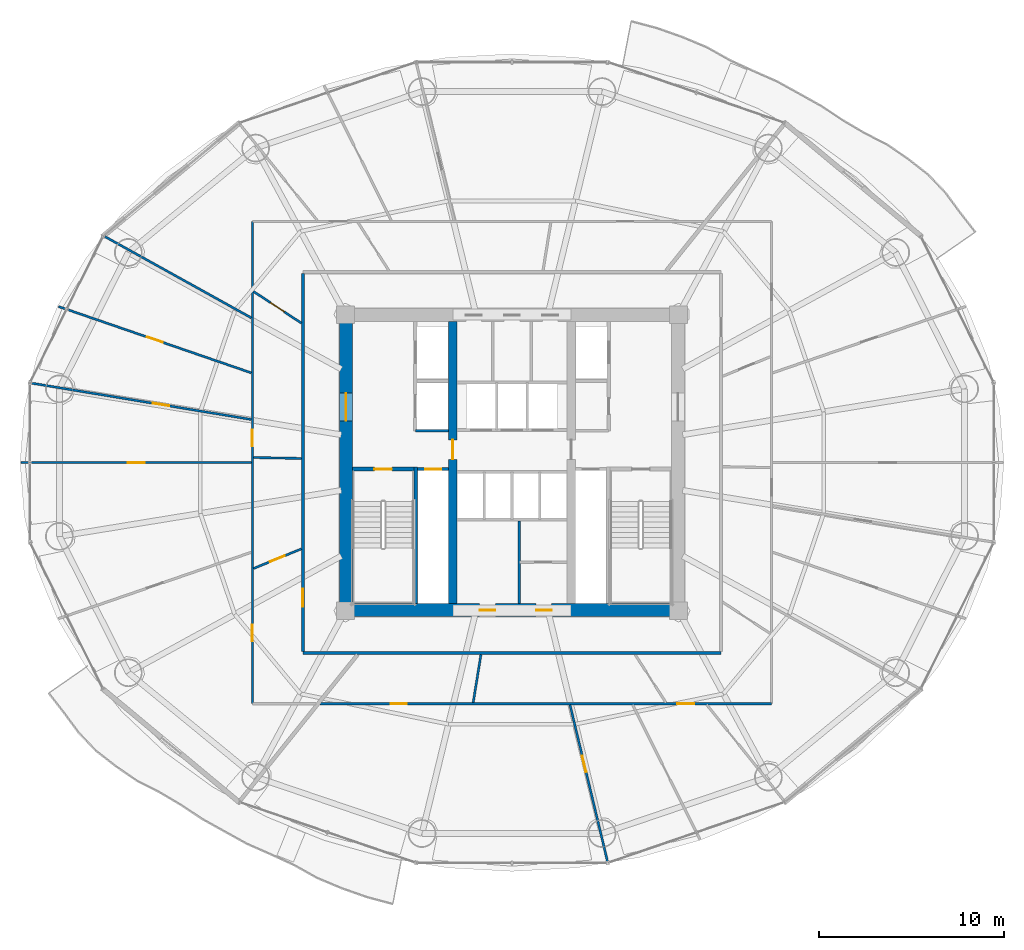
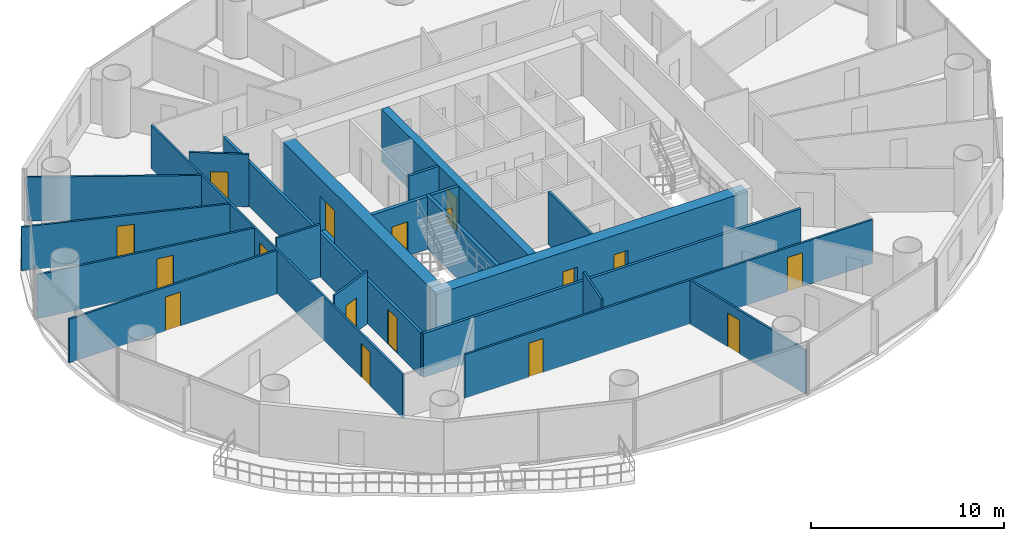
# One storey, part 22 of 29: 21 walls, 17 doors, 17 openings.
"""IFC4 building model written with IfcOpenShell, lengths in metres."""

from ifc_helpers import new_model, si_unit, direction, frame, frame_2d, origin, place, context, subcontext, project, spatial, rectangle, extrude, source, transform, mapped, material, layer, layer_set, type_object, element, fill, save


model = new_model("IFC4")

# Units and contexts
model_context = context("Model", 3, precision=1e-05, world=origin(), true_north=direction((-0.2419218956, 0.970295726276)))
body_context = subcontext(model_context, "Body", "Model", "MODEL_VIEW")
ifc_project = project(units=[si_unit("LENGTHUNIT", "METRE"), si_unit("AREAUNIT", "SQUARE_METRE"), si_unit("VOLUMEUNIT", "CUBIC_METRE"), si_unit("PLANEANGLEUNIT", "RADIAN"), si_unit("MASSUNIT", "GRAM", prefix="KILO")], contexts=[model_context])

# Site, building, storey
site_placement = place(None, origin())
site = spatial("IfcSite", under=ifc_project, at=site_placement, CompositionType="ELEMENT")
building_placement = place(site_placement, origin())
building = spatial("IfcBuilding", under=site, at=building_placement, Name="Cobrevalo Terracotta Tower", CompositionType="ELEMENT")
storey_placement = place(building_placement, frame((0.0, 0.0, 119.39990234375)))
storey = spatial("IfcBuildingStorey", under=building, at=storey_placement, Name="L31", CompositionType="ELEMENT", Elevation=119.39990234375)

# Wall, openings, doors
ifc_material_1 = material(Name="Concrete C60", Category="concrete")
ifc_layer_1 = layer(ifc_material_1, 0.699951171875)
ifc_layer_set_1 = layer_set([ifc_layer_1], Name="Concrete C60")
wall_type_1 = type_object("IfcWallType", Name="Core shear wall 700 mm Concrete C60", PredefinedType="SHEAR", material=ifc_layer_set_1)
wall_1_placement = place(storey_placement, frame((28.675048828125, 18.824951171875, 0.0), z_axis=(0.0, 0.0, 1.0), x_axis=(1.0, 0.0, 0.0)))
wall_1 = element("IfcWall", 1, at=wall_1_placement, inside=storey, type_object=wall_type_1, Name="L31 south core shear wall", PredefinedType="SHEAR", context=body_context, shape_type="SweptSolid", body=[
    extrude(rectangle(XDim=18.64990234375, YDim=0.699951171875, at=frame_2d((9.324951171875, 0.0))), origin(), (0.0, 0.0, 1.0), 3.3251953125),
])
opening_1_placement = place(wall_1_placement, frame((7.577392578125, 0.0, 0.0)))
opening_1 = element("IfcOpeningElement", 2, at=opening_1_placement, cuts=wall_1, Name="Opening ID-22", PredefinedType="OPENING", context=body_context, shape_type="SweptSolid", body=[
    extrude(rectangle(XDim=0.85009765625, YDim=2.10009765625, at=frame_2d((0.425048828125, 1.050048828125))), frame((0.0, 0.35986328125, 0.0), z_axis=(0.0, -1.0, 0.0), x_axis=(1.0, 0.0, 0.0)), (0.0, 0.0, 1.0), 0.719970703125),
])
opening_2_placement = place(wall_1_placement, frame((10.62255859375, 0.0, 0.0)))
opening_2 = element("IfcOpeningElement", 3, at=opening_2_placement, cuts=wall_1, Name="Opening ID-22", PredefinedType="OPENING", context=body_context, shape_type="SweptSolid", body=[
    extrude(rectangle(XDim=0.85009765625, YDim=2.10009765625, at=frame_2d((0.425048828125, 1.050048828125))), frame((0.0, 0.35986328125, 0.0), z_axis=(0.0, -1.0, 0.0), x_axis=(1.0, 0.0, 0.0)), (0.0, 0.0, 1.0), 0.719970703125),
])
ifc_material_2 = material(Name="Powder-coated steel", Category="steel")
door_type_1 = type_object("IfcDoorType", Name="Riser shaft & meter closet fire access door 850x2100 EI 60", OperationType="NOTDEFINED", PredefinedType="DOOR", material=ifc_material_2)
shared_shape_1 = source(origin(), body_context, "Body", "SweptSolid", [
    extrude(rectangle(XDim=0.85009765625, YDim=2.10009765625, at=frame_2d((0.425048828125, 1.050048828125))), frame((0.0, 0.02490234375, 0.0), z_axis=(0.0, -1.0, 0.0), x_axis=(1.0, 0.0, 0.0)), (0.0, 0.0, 1.0), 0.050048828125),
])
door_1_placement = place(opening_1_placement, origin())
door_1 = element("IfcDoor", 4, at=door_1_placement, inside=storey, type_object=door_type_1, Name="L31 core south plant door Floor AHU Mechanical Plant", OperationType="SINGLE_SWING_RIGHT", OverallHeight=2.10009765625, OverallWidth=0.85009765625, PredefinedType="DOOR", context=body_context, shape_type="MappedRepresentation", body=[
    mapped(shared_shape_1, transform((0.0, 0.0, 0.0), scale=1.0)),
])
fill(opening_1, door_1)
door_2_placement = place(opening_2_placement, origin())
door_2 = element("IfcDoor", 5, at=door_2_placement, inside=storey, type_object=door_type_1, Name="L31 core south plant door Sprinkler Valve Plant", OperationType="SINGLE_SWING_RIGHT", OverallHeight=2.10009765625, OverallWidth=0.85009765625, PredefinedType="DOOR", context=body_context, shape_type="MappedRepresentation", body=[
    mapped(shared_shape_1, transform((0.0, 0.0, 0.0), scale=1.0)),
])
fill(opening_2, door_2)

# Wall, opening, door
wall_2_placement = place(storey_placement, frame((29.02490234375, 19.175048828125, 0.0), z_axis=(0.0, 0.0, 1.0), x_axis=(0.0, 1.0, 0.0)))
wall_2 = element("IfcWall", 6, at=wall_2_placement, inside=storey, type_object=wall_type_1, Name="L31 west core shear wall", PredefinedType="SHEAR", context=body_context, shape_type="SweptSolid", body=[
    extrude(rectangle(XDim=15.25, YDim=0.699951171875, at=frame_2d((7.625, 0.0))), origin(), (0.0, 0.0, 1.0), 3.3251953125),
])
opening_3_placement = place(wall_2_placement, frame((9.875, 0.0, 0.0)))
opening_3 = element("IfcOpeningElement", 7, at=opening_3_placement, cuts=wall_2, Name="Opening ID-14", PredefinedType="OPENING", context=body_context, shape_type="SweptSolid", body=[
    extrude(rectangle(XDim=1.5, YDim=2.199951171875, at=frame_2d((0.75, 1.10009765625))), frame((0.0, 0.35986328125, 0.0), z_axis=(0.0, -1.0, 0.0), x_axis=(1.0, 0.0, 0.0)), (0.0, 0.0, 1.0), 0.719970703125),
])
ifc_material_3 = material(Name="Galvanized fire-rated steel", Category="steel")
door_type_2 = type_object("IfcDoorType", Name="Core cross-lobby double fire door 1500x2200 EI 90", OperationType="NOTDEFINED", PredefinedType="DOOR", material=ifc_material_3)
shared_shape_2 = source(origin(), body_context, "Body", "SweptSolid", [
    extrude(rectangle(XDim=1.5, YDim=2.199951171875, at=frame_2d((0.75, 1.10009765625))), frame((0.0, 0.02490234375, 0.0), z_axis=(0.0, -1.0, 0.0), x_axis=(1.0, 0.0, 0.0)), (0.0, 0.0, 1.0), 0.050048828125),
])
door_3_placement = place(opening_3_placement, origin())
door_3 = element("IfcDoor", 8, at=door_3_placement, inside=storey, type_object=door_type_2, Name="L31 west firefighting lobby entrance door", OperationType="DOUBLE_DOOR_SINGLE_SWING", OverallHeight=2.199951171875, OverallWidth=1.5, PredefinedType="DOOR", context=body_context, shape_type="MappedRepresentation", body=[
    mapped(shared_shape_2, transform((0.0, 0.0, 0.0), scale=1.0)),
])
fill(opening_3, door_3)

# Walls
ifc_material_4 = material(Name="Gypsum board on steel stud", Category="steel")
ifc_layer_2 = layer(ifc_material_4, 0.159912109375)
ifc_layer_set_2 = layer_set([ifc_layer_2], Name="Gypsum board on steel stud")
wall_type_2 = type_object("IfcWallType", Name="Fire-rated corridor acoustic partition wall 160 mm", PredefinedType="PARTITIONING", material=ifc_layer_set_2)
wall_3_placement = place(storey_placement, frame((32.77001953125, 28.52001953125, 0.0), z_axis=(0.0, 0.0, 1.0), x_axis=(1.0, 0.0, 0.0)))
element("IfcWall", 9, at=wall_3_placement, inside=storey, type_object=wall_type_2, Name="L31 interior partition IW-L31-FF1-S", PredefinedType="PARTITIONING", context=body_context, shape_type="SweptSolid", body=[
    extrude(rectangle(XDim=1.804931640625, YDim=0.159912109375, at=frame_2d((0.90234375, 0.0))), origin(), (0.0, 0.0, 1.0), 3.3251953125),
])
wall_4_placement = place(storey_placement, frame((26.695068359375, 16.4951171875, 0.0), z_axis=(0.0, 0.0, 1.0), x_axis=(1.0, 0.0, 0.0)))
element("IfcWall", 10, at=wall_4_placement, inside=storey, type_object=wall_type_2, Name="L31 interior partition IW-L31-COR-S", PredefinedType="PARTITIONING", context=body_context, shape_type="SweptSolid", body=[
    extrude(rectangle(XDim=22.60986328125, YDim=0.159912109375, at=frame_2d((11.304931640625, 0.0))), origin(), (0.0, 0.0, 1.0), 2.76708984375),
])

# Wall, opening, door
wall_5_placement = place(storey_placement, frame((26.695068359375, 16.574951171875, 0.0), z_axis=(0.0, 0.0, 1.0), x_axis=(0.0, 1.0, 0.0)))
wall_5 = element("IfcWall", 11, at=wall_5_placement, inside=storey, type_object=wall_type_2, Name="L31 interior partition IW-L31-COR-W", PredefinedType="PARTITIONING", context=body_context, shape_type="SweptSolid", body=[
    extrude(rectangle(XDim=20.449951171875, YDim=0.159912109375, at=frame_2d((10.22509765625, 0.0))), origin(), (0.0, 0.0, 1.0), 2.76708984375),
])
opening_4_placement = place(wall_5_placement, frame((2.42431640625, 0.0, 0.0)))
opening_4 = element("IfcOpeningElement", 12, at=opening_4_placement, cuts=wall_5, Name="Opening ID-05", PredefinedType="OPENING", context=body_context, shape_type="SweptSolid", body=[
    extrude(rectangle(XDim=0.97998046875, YDim=2.199951171875, at=frame_2d((0.489990234375, 1.10009765625))), frame((0.0, 0.08984375, 0.0), z_axis=(0.0, -1.0, 0.0), x_axis=(1.0, 0.0, 0.0)), (0.0, 0.0, 1.0), 0.179931640625),
])
ifc_material_5 = material(Name="Solid hardwood timber", Category="wood")
door_type_3 = type_object("IfcDoorType", Name="Residence entrance fire-rated acoustic timber door 980x2200 EI 60", OperationType="NOTDEFINED", PredefinedType="DOOR", material=ifc_material_5)
shared_shape_3 = source(origin(), body_context, "Body", "SweptSolid", [
    extrude(rectangle(XDim=0.97998046875, YDim=2.199951171875, at=frame_2d((0.489990234375, 1.10009765625))), frame((0.0, 0.02490234375, 0.0), z_axis=(0.0, -1.0, 0.0), x_axis=(1.0, 0.0, 0.0)), (0.0, 0.0, 1.0), 0.050048828125),
])
door_4_placement = place(opening_4_placement, origin())
door_4 = element("IfcDoor", 13, at=door_4_placement, inside=storey, type_object=door_type_3, Name="Flat L31A fire-rated apartment entrance door", OperationType="SINGLE_SWING_LEFT", OverallHeight=2.199951171875, OverallWidth=0.97998046875, PredefinedType="DOOR", context=body_context, shape_type="MappedRepresentation", body=[
    mapped(shared_shape_3, transform((0.0, 0.0, 0.0), scale=1.0)),
])
fill(opening_4, door_4)

ifc_layer_3 = layer(ifc_material_4, 0.179931640625)
ifc_layer_set_3 = layer_set([ifc_layer_3], Name="Gypsum board on steel stud")
wall_type_3 = type_object("IfcWallType", Name="Fire-rated shaft & lobby acoustic partition wall 180 mm", PredefinedType="PARTITIONING", material=ifc_layer_set_3)
wall_6_placement = place(storey_placement, frame((32.89990234375, 26.449951171875, 0.0), z_axis=(0.0, 0.0, 1.0), x_axis=(1.0, 0.0, 0.0)))
wall_6 = element("IfcWall", 14, at=wall_6_placement, inside=storey, type_object=wall_type_3, Name="L31 interior partition IW-L31-RSW-N", PredefinedType="PARTITIONING", context=body_context, shape_type="SweptSolid", body=[
    extrude(rectangle(XDim=1.675048828125, YDim=0.179931640625, at=frame_2d((0.83740234375, 0.0))), origin(), (0.0, 0.0, 1.0), 3.3251953125),
])
opening_5_placement = place(wall_6_placement, frame((0.41259765625, 0.0, 0.0)))
opening_5 = element("IfcOpeningElement", 15, at=opening_5_placement, cuts=wall_6, Name="Opening ID-22", PredefinedType="OPENING", context=body_context, shape_type="SweptSolid", body=[
    extrude(rectangle(XDim=0.85009765625, YDim=2.10009765625, at=frame_2d((0.425048828125, 1.050048828125))), frame((0.0, 0.10009765625, 0.0), z_axis=(0.0, -1.0, 0.0), x_axis=(1.0, 0.0, 0.0)), (0.0, 0.0, 1.0), 0.199951171875),
])
door_5_placement = place(opening_5_placement, origin())
door_5 = element("IfcDoor", 16, at=door_5_placement, inside=storey, type_object=door_type_1, Name="L31 riser access door RSW", OperationType="SINGLE_SWING_LEFT", OverallHeight=2.10009765625, OverallWidth=0.85009765625, PredefinedType="DOOR", context=body_context, shape_type="MappedRepresentation", body=[
    mapped(shared_shape_1, transform((0.0, 0.0, 0.0), scale=1.0)),
])
fill(opening_5, door_5)

ifc_material_6 = material(Name="Concrete C55", Category="concrete")
ifc_layer_4 = layer(ifc_material_6, 0.449951171875)
ifc_layer_set_4 = layer_set([ifc_layer_4], Name="Concrete C55")
wall_type_4 = type_object("IfcWallType", Name="Internal core shear web wall 450 mm Concrete C55", PredefinedType="SHEAR", material=ifc_layer_set_4)
wall_7_placement = place(storey_placement, frame((34.800048828125, 19.175048828125, 0.0), z_axis=(0.0, 0.0, 1.0), x_axis=(0.0, 1.0, 0.0)))
wall_7 = element("IfcWall", 17, at=wall_7_placement, inside=storey, type_object=wall_type_4, Name="L31 internal core shear wall WEB-W", PredefinedType="SHEAR", context=body_context, shape_type="SweptSolid", body=[
    extrude(rectangle(XDim=15.25, YDim=0.449951171875, at=frame_2d((7.625, 0.0))), origin(), (0.0, 0.0, 1.0), 3.3251953125),
])
opening_6_placement = place(wall_7_placement, frame((7.800048828125, 0.0, 0.0)))
opening_6 = element("IfcOpeningElement", 18, at=opening_6_placement, cuts=wall_7, Name="Opening ID-11", PredefinedType="OPENING", context=body_context, shape_type="SweptSolid", body=[
    extrude(rectangle(XDim=1.050048828125, YDim=2.14990234375, at=frame_2d((0.52490234375, 1.074951171875))), frame((0.0, 0.23486328125, 0.0), z_axis=(0.0, -1.0, 0.0), x_axis=(1.0, 0.0, 0.0)), (0.0, 0.0, 1.0), 0.469970703125),
])
door_type_4 = type_object("IfcDoorType", Name="Core concourse cross fire door 1050x2150 EI 90", OperationType="NOTDEFINED", PredefinedType="DOOR", material=ifc_material_3)
shared_shape_4 = source(origin(), body_context, "Body", "SweptSolid", [
    extrude(rectangle(XDim=1.050048828125, YDim=2.14990234375, at=frame_2d((0.52490234375, 1.074951171875))), frame((0.0, 0.02490234375, 0.0), z_axis=(0.0, -1.0, 0.0), x_axis=(1.0, 0.0, 0.0)), (0.0, 0.0, 1.0), 0.050048828125),
])
door_6_placement = place(opening_6_placement, origin())
door_6 = element("IfcDoor", 19, at=door_6_placement, inside=storey, type_object=door_type_4, Name="L31 west core concourse cross door", OperationType="SINGLE_SWING_LEFT", OverallHeight=2.14990234375, OverallWidth=1.050048828125, PredefinedType="DOOR", context=body_context, shape_type="MappedRepresentation", body=[
    mapped(shared_shape_4, transform((0.0, 0.0, 0.0), scale=1.0)),
])
fill(opening_6, door_6)

# Wall
ifc_material_7 = material(Name="Autoclaved aerated concrete block", Category="concrete")
ifc_layer_5 = layer(ifc_material_7, 0.139892578125)
ifc_layer_set_5 = layer_set([ifc_layer_5], Name="Autoclaved aerated concrete block")
wall_type_5 = type_object("IfcWallType", Name="Moisture-resistant wet-room & core service partition 140 mm", PredefinedType="PARTITIONING", material=ifc_layer_set_5)
wall_8_placement = place(storey_placement, frame((38.39990234375, 19.175048828125, 0.0), z_axis=(0.0, 0.0, 1.0), x_axis=(0.0, 1.0, 0.0)))
element("IfcWall", 20, at=wall_8_placement, inside=storey, type_object=wall_type_5, Name="L31 interior partition IW-L31-KVS-L1", PredefinedType="PARTITIONING", context=body_context, shape_type="SweptSolid", body=[
    extrude(rectangle(XDim=4.46484375, YDim=0.139892578125, at=frame_2d((2.232421875, 0.0))), origin(), (0.0, 0.0, 1.0), 3.3251953125),
])

# Wall, openings, doors
ifc_layer_6 = layer(ifc_material_4, 0.1201171875)
ifc_layer_set_6 = layer_set([ifc_layer_6], Name="Gypsum board on steel stud")
wall_type_6 = type_object("IfcWallType", Name="Residential internal acoustic stud partition 120 mm", PredefinedType="PARTITIONING", material=ifc_layer_set_6)
wall_9_placement = place(storey_placement, frame((23.965087890625, 13.764892578125, 0.0), z_axis=(0.0, 0.0, 1.0), x_axis=(0.0, 1.0, 0.0)))
wall_9 = element("IfcWall", 21, at=wall_9_placement, inside=storey, type_object=wall_type_6, Name="L31 interior partition IW-L31-U1-RING1_0", PredefinedType="PARTITIONING", context=body_context, shape_type="SweptSolid", body=[
    extrude(rectangle(XDim=26.070068359375, YDim=0.1201171875, at=frame_2d((13.03515625, 0.0))), origin(), (0.0, 0.0, 1.0), 2.76708984375),
])
opening_7_placement = place(wall_9_placement, frame((3.362060546875, 0.0, 0.0)))
opening_7 = element("IfcOpeningElement", 22, at=opening_7_placement, cuts=wall_9, Name="Opening ID-12", PredefinedType="OPENING", context=body_context, shape_type="SweptSolid", body=[
    extrude(rectangle(XDim=0.89990234375, YDim=2.14990234375, at=frame_2d((0.449951171875, 1.074951171875))), frame((0.0, 0.070068359375, 0.0), z_axis=(0.0, -1.0, 0.0), x_axis=(1.0, 0.0, 0.0)), (0.0, 0.0, 1.0), 0.14013671875),
])
opening_8_placement = place(wall_9_placement, frame((13.923583984375, 0.0, 0.0)))
opening_8 = element("IfcOpeningElement", 23, at=opening_8_placement, cuts=wall_9, Name="Opening ID-12", PredefinedType="OPENING", context=body_context, shape_type="SweptSolid", body=[
    extrude(rectangle(XDim=0.89990234375, YDim=2.14990234375, at=frame_2d((0.449951171875, 1.074951171875))), frame((0.0, 0.070068359375, 0.0), z_axis=(0.0, -1.0, 0.0), x_axis=(1.0, 0.0, 0.0)), (0.0, 0.0, 1.0), 0.14013671875),
])
ifc_material_8 = material(Name="Engineered timber", Category="wood")
door_type_5 = type_object("IfcDoorType", Name="Internal residence & suite timber door 900x2150", OperationType="NOTDEFINED", PredefinedType="DOOR", material=ifc_material_8)
shared_shape_5 = source(origin(), body_context, "Body", "SweptSolid", [
    extrude(rectangle(XDim=0.89990234375, YDim=2.14990234375, at=frame_2d((0.449951171875, 1.074951171875))), frame((0.0, 0.02490234375, 0.0), z_axis=(0.0, -1.0, 0.0), x_axis=(1.0, 0.0, 0.0)), (0.0, 0.0, 1.0), 0.050048828125),
])
door_7_placement = place(opening_7_placement, origin())
door_7 = element("IfcDoor", 24, at=door_7_placement, inside=storey, type_object=door_type_5, Name="Flat L31A Private Cinema Room internal door", OperationType="SINGLE_SWING_LEFT", OverallHeight=2.14990234375, OverallWidth=0.89990234375, PredefinedType="DOOR", context=body_context, shape_type="MappedRepresentation", body=[
    mapped(shared_shape_5, transform((0.0, 0.0, 0.0), scale=1.0)),
])
fill(opening_7, door_7)
door_8_placement = place(opening_8_placement, frame((0.89990234375, 0.0, 0.0), z_axis=(0.0, 0.0, 1.0), x_axis=(-1.0, 0.0, 0.0)))
door_8 = element("IfcDoor", 25, at=door_8_placement, inside=storey, type_object=door_type_5, Name="Flat L31A Kitchen internal door", OperationType="SINGLE_SWING_RIGHT", OverallHeight=2.14990234375, OverallWidth=0.89990234375, PredefinedType="DOOR", context=body_context, shape_type="MappedRepresentation", body=[
    mapped(shared_shape_5, transform((0.0, 0.0, 0.0), scale=1.0)),
])
fill(opening_8, door_8)

# Wall
wall_10_placement = place(storey_placement, frame((23.910888671875, 34.62158203125, 0.0), z_axis=(0.0, 0.0, 1.0), x_axis=(-0.874324904351, 0.485341077626, 0.0)))
element("IfcWall", 26, at=wall_10_placement, inside=storey, type_object=wall_type_6, Name="L31 interior partition IW-L31-U1-ORAD3", PredefinedType="PARTITIONING", context=body_context, shape_type="SweptSolid", body=[
    extrude(rectangle(XDim=9.065673828125, YDim=0.1201171875, at=frame_2d((4.53271484375, 0.0))), origin(), (0.0, 0.0, 1.0), 2.76708984375),
])

# Wall, opening, door
wall_11_placement = place(storey_placement, frame((23.90625, 31.650146484375, 0.0), z_axis=(0.0, 0.0, 1.0), x_axis=(-0.945573120726, 0.32540970078, 0.0)))
wall_11 = element("IfcWall", 27, at=wall_11_placement, inside=storey, type_object=wall_type_6, Name="L31 interior partition IW-L31-U1-ORAD4M1", PredefinedType="PARTITIONING", context=body_context, shape_type="SweptSolid", body=[
    extrude(rectangle(XDim=11.02197265625, YDim=0.1201171875, at=frame_2d((5.510986328125, 0.0))), origin(), (0.0, 0.0, 1.0), 2.76708984375),
])
opening_9_placement = place(wall_11_placement, frame((5.06103515625, 0.0, 0.0)))
opening_9 = element("IfcOpeningElement", 28, at=opening_9_placement, cuts=wall_11, Name="Opening ID-12", PredefinedType="OPENING", context=body_context, shape_type="SweptSolid", body=[
    extrude(rectangle(XDim=0.89990234375, YDim=2.14990234375, at=frame_2d((0.449951171875, 1.074951171875))), frame((0.0, 0.070068359375, 0.0), z_axis=(0.0, -1.0, 0.0), x_axis=(1.0, 0.0, 0.0)), (0.0, 0.0, 1.0), 0.14013671875),
])
door_9_placement = place(opening_9_placement, frame((0.89990234375, 0.0, 0.0), z_axis=(0.0, 0.0, 1.0), x_axis=(-1.0, 0.0, 0.0)))
door_9 = element("IfcDoor", 29, at=door_9_placement, inside=storey, type_object=door_type_5, Name="Flat L31A South Bedroom internal door", OperationType="SINGLE_SWING_LEFT", OverallHeight=2.14990234375, OverallWidth=0.89990234375, PredefinedType="DOOR", context=body_context, shape_type="MappedRepresentation", body=[
    mapped(shared_shape_5, transform((0.0, 0.0, 0.0), scale=1.0)),
])
fill(opening_9, door_9)

wall_12_placement = place(storey_placement, frame((23.90380859375, 29.129638671875, 0.0), z_axis=(0.0, 0.0, 1.0), x_axis=(-0.986618264768, 0.163047231274, 0.0)))
wall_12 = element("IfcWall", 30, at=wall_12_placement, inside=storey, type_object=wall_type_6, Name="L31 interior partition IW-L31-U1-ORAD4M2", PredefinedType="PARTITIONING", context=body_context, shape_type="SweptSolid", body=[
    extrude(rectangle(XDim=12.038818359375, YDim=0.1201171875, at=frame_2d((6.01953125, 0.0))), origin(), (0.0, 0.0, 1.0), 2.76708984375),
])
opening_10_placement = place(wall_12_placement, frame((4.496337890625, 0.0, 0.0)))
opening_10 = element("IfcOpeningElement", 31, at=opening_10_placement, cuts=wall_12, Name="Opening ID-12", PredefinedType="OPENING", context=body_context, shape_type="SweptSolid", body=[
    extrude(rectangle(XDim=0.89990234375, YDim=2.14990234375, at=frame_2d((0.449951171875, 1.074951171875))), frame((0.0, 0.070068359375, 0.0), z_axis=(0.0, -1.0, 0.0), x_axis=(1.0, 0.0, 0.0)), (0.0, 0.0, 1.0), 0.14013671875),
])
door_10_placement = place(opening_10_placement, frame((0.89990234375, 0.0, 0.0), z_axis=(0.0, 0.0, 1.0), x_axis=(-1.0, 0.0, 0.0)))
door_10 = element("IfcDoor", 32, at=door_10_placement, inside=storey, type_object=door_type_5, Name="Flat L31A Penthouse Family Lounge internal door", OperationType="SINGLE_SWING_LEFT", OverallHeight=2.14990234375, OverallWidth=0.89990234375, PredefinedType="DOOR", context=body_context, shape_type="MappedRepresentation", body=[
    mapped(shared_shape_5, transform((0.0, 0.0, 0.0), scale=1.0)),
])
fill(opening_10, door_10)

wall_13_placement = place(storey_placement, frame((23.903076171875, 26.800048828125, 0.0), z_axis=(0.0, 0.0, 1.0), x_axis=(-1.0, 0.0, 0.0)))
wall_13 = element("IfcWall", 33, at=wall_13_placement, inside=storey, type_object=wall_type_6, Name="L31 interior partition IW-L31-U1-ORAD4", PredefinedType="PARTITIONING", context=body_context, shape_type="SweptSolid", body=[
    extrude(rectangle(XDim=12.443115234375, YDim=0.1201171875, at=frame_2d((6.2216796875, 0.0))), origin(), (0.0, 0.0, 1.0), 2.76708984375),
])
opening_11_placement = place(wall_13_placement, frame((5.771484375, 0.0, 0.0)))
opening_11 = element("IfcOpeningElement", 34, at=opening_11_placement, cuts=wall_13, Name="Opening ID-12", PredefinedType="OPENING", context=body_context, shape_type="SweptSolid", body=[
    extrude(rectangle(XDim=0.89990234375, YDim=2.14990234375, at=frame_2d((0.449951171875, 1.074951171875))), frame((0.0, 0.070068359375, 0.0), z_axis=(0.0, -1.0, 0.0), x_axis=(1.0, 0.0, 0.0)), (0.0, 0.0, 1.0), 0.14013671875),
])
door_11_placement = place(opening_11_placement, frame((0.89990234375, 0.0, 0.0), z_axis=(0.0, 0.0, 1.0), x_axis=(-1.0, 0.0, 0.0)))
door_11 = element("IfcDoor", 35, at=door_11_placement, inside=storey, type_object=door_type_5, Name="Flat L31A Penthouse Family Lounge internal door", OperationType="SINGLE_SWING_LEFT", OverallHeight=2.14990234375, OverallWidth=0.89990234375, PredefinedType="DOOR", context=body_context, shape_type="MappedRepresentation", body=[
    mapped(shared_shape_5, transform((0.0, 0.0, 0.0), scale=1.0)),
])
fill(opening_11, door_11)

wall_14_placement = place(storey_placement, frame((26.614990234375, 34.33740234375, 0.0), z_axis=(0.0, 0.0, 1.0), x_axis=(-0.833829855758, 0.552021531868, 0.0)))
wall_14 = element("IfcWall", 36, at=wall_14_placement, inside=storey, type_object=wall_type_6, Name="L31 interior partition IW-L31-U1-IRAD3", PredefinedType="PARTITIONING", context=body_context, shape_type="SweptSolid", body=[
    extrude(rectangle(XDim=3.1162109375, YDim=0.1201171875, at=frame_2d((1.55810546875, 0.0))), origin(), (0.0, 0.0, 1.0), 3.3251953125),
])
opening_12_placement = place(wall_14_placement, frame((1.108154296875, 0.0, 0.0)))
opening_12 = element("IfcOpeningElement", 37, at=opening_12_placement, cuts=wall_14, Name="Opening ID-12", PredefinedType="OPENING", context=body_context, shape_type="SweptSolid", body=[
    extrude(rectangle(XDim=0.89990234375, YDim=2.14990234375, at=frame_2d((0.449951171875, 1.074951171875))), frame((0.0, 0.070068359375, 0.0), z_axis=(0.0, -1.0, 0.0), x_axis=(1.0, 0.0, 0.0)), (0.0, 0.0, 1.0), 0.14013671875),
])
door_12_placement = place(opening_12_placement, frame((0.89990234375, 0.0, 0.0), z_axis=(0.0, 0.0, 1.0), x_axis=(-1.0, 0.0, 0.0)))
door_12 = element("IfcDoor", 38, at=door_12_placement, inside=storey, type_object=door_type_5, Name="Flat L31A Private Wellness Room internal door", OperationType="SINGLE_SWING_RIGHT", OverallHeight=2.14990234375, OverallWidth=0.89990234375, PredefinedType="DOOR", context=body_context, shape_type="MappedRepresentation", body=[
    mapped(shared_shape_5, transform((0.0, 0.0, 0.0), scale=1.0)),
])
fill(opening_12, door_12)

# Wall
wall_15_placement = place(storey_placement, frame((26.614990234375, 27.02294921875, 0.0), z_axis=(0.0, 0.0, 1.0), x_axis=(-0.999809377232, 0.019524579348, 0.0)))
element("IfcWall", 39, at=wall_15_placement, inside=storey, type_object=wall_type_6, Name="L31 interior partition IW-L31-U1-IRAD4", PredefinedType="PARTITIONING", context=body_context, shape_type="SweptSolid", body=[
    extrude(rectangle(XDim=2.58837890625, YDim=0.1201171875, at=frame_2d((1.294189453125, 0.0))), origin(), (0.0, 0.0, 1.0), 3.3251953125),
])

# Wall, opening, door
wall_16_placement = place(storey_placement, frame((26.614990234375, 22.13525390625, 0.0), z_axis=(0.0, 0.0, 1.0), x_axis=(-0.925337216259, -0.379145138708, 0.0)))
wall_16 = element("IfcWall", 40, at=wall_16_placement, inside=storey, type_object=wall_type_6, Name="L31 interior partition IW-L31-U1-IRAD5", PredefinedType="PARTITIONING", context=body_context, shape_type="SweptSolid", body=[
    extrude(rectangle(XDim=2.8017578125, YDim=0.1201171875, at=frame_2d((1.40087890625, 0.0))), origin(), (0.0, 0.0, 1.0), 3.3251953125),
])
opening_13_placement = place(wall_16_placement, frame((0.970947265625, 0.0, 0.0)))
opening_13 = element("IfcOpeningElement", 41, at=opening_13_placement, cuts=wall_16, Name="Opening ID-19", PredefinedType="OPENING", context=body_context, shape_type="SweptSolid", body=[
    extrude(rectangle(XDim=0.860107421875, YDim=2.14990234375, at=frame_2d((0.43017578125, 1.074951171875))), frame((0.0, 0.070068359375, 0.0), z_axis=(0.0, -1.0, 0.0), x_axis=(1.0, 0.0, 0.0)), (0.0, 0.0, 1.0), 0.14013671875),
])
ifc_material_9 = material(Name="Moisture-sealed timber", Category="wood")
door_type_6 = type_object("IfcDoorType", Name="Suite bathroom internal timber door 860x2150", OperationType="NOTDEFINED", PredefinedType="DOOR", material=ifc_material_9)
shared_shape_6 = source(origin(), body_context, "Body", "SweptSolid", [
    extrude(rectangle(XDim=0.860107421875, YDim=2.14990234375, at=frame_2d((0.43017578125, 1.074951171875))), frame((0.0, 0.02490234375, 0.0), z_axis=(0.0, -1.0, 0.0), x_axis=(1.0, 0.0, 0.0)), (0.0, 0.0, 1.0), 0.050048828125),
])
door_13_placement = place(opening_13_placement, frame((0.860107421875, 0.0, 0.0), z_axis=(0.0, 0.0, 1.0), x_axis=(-1.0, 0.0, 0.0)))
door_13 = element("IfcDoor", 42, at=door_13_placement, inside=storey, type_object=door_type_6, Name="Flat L31A Primary Bathroom internal door", OperationType="SINGLE_SWING_RIGHT", OverallHeight=2.14990234375, OverallWidth=0.860107421875, PredefinedType="DOOR", context=body_context, shape_type="MappedRepresentation", body=[
    mapped(shared_shape_6, transform((0.0, 0.0, 0.0), scale=1.0)),
])
fill(opening_13, door_13)

# Wall, openings, doors
wall_17_placement = place(storey_placement, frame((52.034912109375, 13.764892578125, 0.0), z_axis=(0.0, 0.0, 1.0), x_axis=(-1.0, 0.0, 0.0)))
wall_17 = element("IfcWall", 43, at=wall_17_placement, inside=storey, type_object=wall_type_6, Name="L31 interior partition IW-L31-U2-RING2_0", PredefinedType="PARTITIONING", context=body_context, shape_type="SweptSolid", body=[
    extrude(rectangle(XDim=24.416015625, YDim=0.1201171875, at=frame_2d((12.2080078125, 0.0))), origin(), (0.0, 0.0, 1.0), 2.76708984375),
])
opening_14_placement = place(wall_17_placement, frame((4.192138671875, 0.0, 0.0)))
opening_14 = element("IfcOpeningElement", 44, at=opening_14_placement, cuts=wall_17, Name="Opening ID-12", PredefinedType="OPENING", context=body_context, shape_type="SweptSolid", body=[
    extrude(rectangle(XDim=0.89990234375, YDim=2.14990234375, at=frame_2d((0.449951171875, 1.074951171875))), frame((0.0, 0.070068359375, 0.0), z_axis=(0.0, -1.0, 0.0), x_axis=(1.0, 0.0, 0.0)), (0.0, 0.0, 1.0), 0.14013671875),
])
opening_15_placement = place(wall_17_placement, frame((19.727783203125, 0.0, 0.0)))
opening_15 = element("IfcOpeningElement", 45, at=opening_15_placement, cuts=wall_17, Name="Opening ID-19", PredefinedType="OPENING", context=body_context, shape_type="SweptSolid", body=[
    extrude(rectangle(XDim=0.860107421875, YDim=2.14990234375, at=frame_2d((0.43017578125, 1.074951171875))), frame((0.0, 0.070068359375, 0.0), z_axis=(0.0, -1.0, 0.0), x_axis=(1.0, 0.0, 0.0)), (0.0, 0.0, 1.0), 0.14013671875),
])
door_14_placement = place(opening_15_placement, frame((0.860107421875, 0.0, 0.0), z_axis=(0.0, 0.0, 1.0), x_axis=(-1.0, 0.0, 0.0)))
door_14 = element("IfcDoor", 46, at=door_14_placement, inside=storey, type_object=door_type_6, Name="Flat L31B Guest Bathroom internal door", OperationType="SINGLE_SWING_RIGHT", OverallHeight=2.14990234375, OverallWidth=0.860107421875, PredefinedType="DOOR", context=body_context, shape_type="MappedRepresentation", body=[
    mapped(shared_shape_6, transform((0.0, 0.0, 0.0), scale=1.0)),
])
fill(opening_15, door_14)
door_15_placement = place(opening_14_placement, origin())
door_15 = element("IfcDoor", 47, at=door_15_placement, inside=storey, type_object=door_type_5, Name="Flat L31B Principal Guest Bedroom internal door", OperationType="SINGLE_SWING_RIGHT", OverallHeight=2.14990234375, OverallWidth=0.89990234375, PredefinedType="DOOR", context=body_context, shape_type="MappedRepresentation", body=[
    mapped(shared_shape_5, transform((0.0, 0.0, 0.0), scale=1.0)),
])
fill(opening_14, door_15)

# Wall, opening, door
wall_18_placement = place(storey_placement, frame((41.13525390625, 13.70458984375, 0.0), z_axis=(0.0, 0.0, 1.0), x_axis=(0.23282725047, -0.97251810854, 0.0)))
wall_18 = element("IfcWall", 48, at=wall_18_placement, inside=storey, type_object=wall_type_6, Name="L31 interior partition IW-L31-U2-ORAD1", PredefinedType="PARTITIONING", context=body_context, shape_type="SweptSolid", body=[
    extrude(rectangle(XDim=8.71484375, YDim=0.1201171875, at=frame_2d((4.357421875, 0.0))), origin(), (0.0, 0.0, 1.0), 2.76708984375),
])
opening_16_placement = place(wall_18_placement, frame((2.83056640625, 0.0, 0.0)))
opening_16 = element("IfcOpeningElement", 49, at=opening_16_placement, cuts=wall_18, Name="Opening ID-12", PredefinedType="OPENING", context=body_context, shape_type="SweptSolid", body=[
    extrude(rectangle(XDim=0.89990234375, YDim=2.14990234375, at=frame_2d((0.449951171875, 1.074951171875))), frame((0.0, 0.070068359375, 0.0), z_axis=(0.0, -1.0, 0.0), x_axis=(1.0, 0.0, 0.0)), (0.0, 0.0, 1.0), 0.14013671875),
])
door_16_placement = place(opening_16_placement, frame((0.89990234375, 0.0, 0.0), z_axis=(0.0, 0.0, 1.0), x_axis=(-1.0, 0.0, 0.0)))
door_16 = element("IfcDoor", 50, at=door_16_placement, inside=storey, type_object=door_type_5, Name="Flat L31B Penthouse Living and Dining Room internal door", OperationType="SINGLE_SWING_LEFT", OverallHeight=2.14990234375, OverallWidth=0.89990234375, PredefinedType="DOOR", context=body_context, shape_type="MappedRepresentation", body=[
    mapped(shared_shape_5, transform((0.0, 0.0, 0.0), scale=1.0)),
])
fill(opening_16, door_16)

# Walls
wall_19_placement = place(storey_placement, frame((36.321044921875, 16.4150390625, 0.0), z_axis=(0.0, 0.0, 1.0), x_axis=(-0.159566101486, -0.9871872463, 0.0)))
element("IfcWall", 51, at=wall_19_placement, inside=storey, type_object=wall_type_6, Name="L31 interior partition IW-L31-U2-IRAD1", PredefinedType="PARTITIONING", context=body_context, shape_type="SweptSolid", body=[
    extrude(rectangle(XDim=2.62255859375, YDim=0.1201171875, at=frame_2d((1.311279296875, 0.0))), origin(), (0.0, 0.0, 1.0), 3.3251953125),
])
ifc_material_10 = material(Name="Concrete C50", Category="concrete")
ifc_layer_7 = layer(ifc_material_10, 0.199951171875)
ifc_layer_set_7 = layer_set([ifc_layer_7], Name="Concrete C50")
wall_type_7 = type_object("IfcWallType", Name="Structural core & podium stair-shaft RC wall 200 mm Concrete C50", PredefinedType="SOLIDWALL", material=ifc_layer_set_7)
wall_20_placement = place(storey_placement, frame((32.794921875, 19.175048828125, 0.0), z_axis=(0.0, 0.0, 1.0), x_axis=(0.0, 1.0, 0.0)))
element("IfcWall", 52, at=wall_20_placement, inside=storey, type_object=wall_type_7, Name="L31 ST-1 east structural shaft wall", PredefinedType="SOLIDWALL", context=body_context, shape_type="SweptSolid", body=[
    extrude(rectangle(XDim=7.375, YDim=0.199951171875, at=frame_2d((3.6875, 0.0))), origin(), (0.0, 0.0, 1.0), 3.3251953125),
])

# Wall, opening, door
wall_21_placement = place(storey_placement, frame((29.375, 26.449951171875, 0.0), z_axis=(0.0, 0.0, 1.0), x_axis=(1.0, 0.0, 0.0)))
wall_21 = element("IfcWall", 53, at=wall_21_placement, inside=storey, type_object=wall_type_7, Name="L31 ST-1 north structural shaft wall", PredefinedType="SOLIDWALL", context=body_context, shape_type="SweptSolid", body=[
    extrude(rectangle(XDim=3.320068359375, YDim=0.199951171875, at=frame_2d((1.66015625, 0.0))), origin(), (0.0, 0.0, 1.0), 3.3251953125),
])
opening_17_placement = place(wall_21_placement, frame((1.18505859375, 0.0, 0.0)))
opening_17 = element("IfcOpeningElement", 54, at=opening_17_placement, cuts=wall_21, Name="Opening ID-04", PredefinedType="OPENING", context=body_context, shape_type="SweptSolid", body=[
    extrude(rectangle(XDim=0.949951171875, YDim=2.14990234375, at=frame_2d((0.47509765625, 1.074951171875))), frame((0.0, 0.10986328125, 0.0), z_axis=(0.0, -1.0, 0.0), x_axis=(1.0, 0.0, 0.0)), (0.0, 0.0, 1.0), 0.219970703125),
])
door_type_7 = type_object("IfcDoorType", Name="Stair & firefighting lobby fire door 950x2150 EI 90", OperationType="NOTDEFINED", PredefinedType="DOOR", material=ifc_material_3)
shared_shape_7 = source(origin(), body_context, "Body", "SweptSolid", [
    extrude(rectangle(XDim=0.949951171875, YDim=2.14990234375, at=frame_2d((0.47509765625, 1.074951171875))), frame((0.0, 0.02490234375, 0.0), z_axis=(0.0, -1.0, 0.0), x_axis=(1.0, 0.0, 0.0)), (0.0, 0.0, 1.0), 0.050048828125),
])
door_17_placement = place(opening_17_placement, origin())
door_17 = element("IfcDoor", 55, at=door_17_placement, inside=storey, type_object=door_type_7, Name="L31 protected stair ST1 fire door", OperationType="SINGLE_SWING_LEFT", OverallHeight=2.14990234375, OverallWidth=0.949951171875, PredefinedType="DOOR", context=body_context, shape_type="MappedRepresentation", body=[
    mapped(shared_shape_7, transform((0.0, 0.0, 0.0), scale=1.0)),
])
fill(opening_17, door_17)

save(model, "model.ifc")
